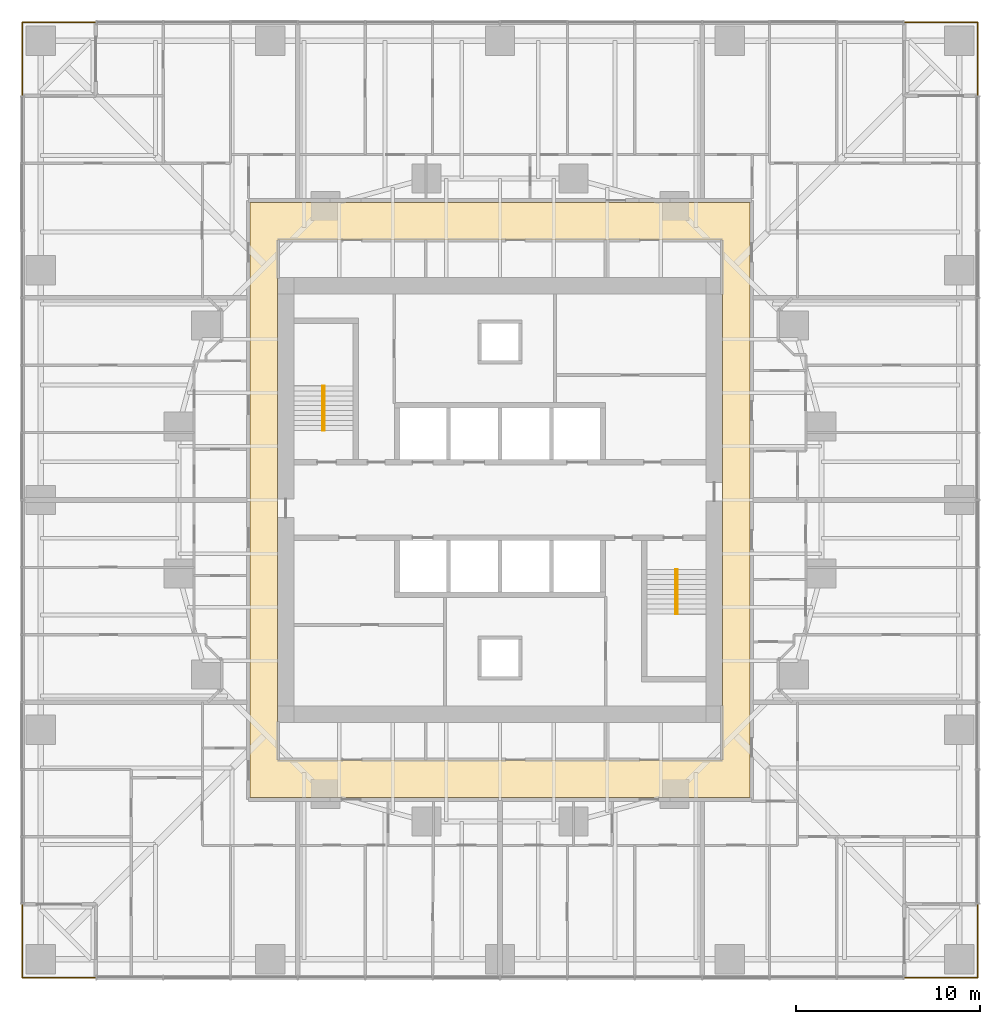
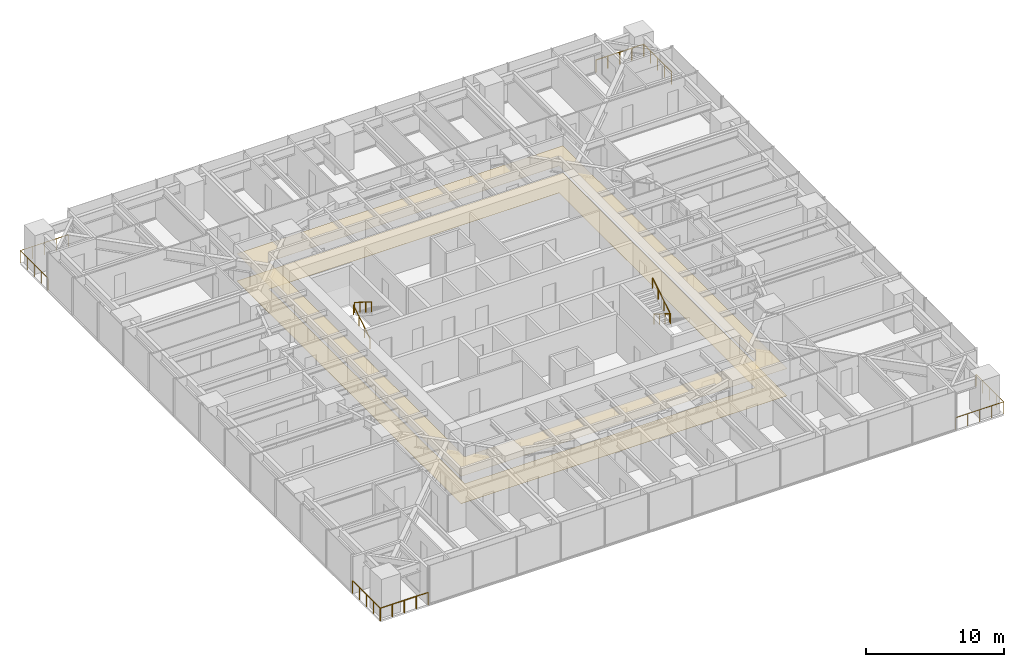
# One storey, part 18 of 18: 8 railings, 2 coverings, 2 elements without a shape of their own.
"""IFC4 building model written with IfcOpenShell, lengths in metres."""

from ifc_helpers import new_model, si_unit, direction, frame, origin, origin_2d, place, context, subcontext, project, spatial, polyline, circle, outline, extrude, material, layer, layer_set, type_object, element, aggregate, save


model = new_model("IFC4")

# Units and contexts
model_context = context("Model", 3, precision=1e-05, world=origin(), true_north=direction((0.0, 1.0)))
body_context = subcontext(model_context, "Body", "Model", "MODEL_VIEW")
ifc_project = project(units=[si_unit("LENGTHUNIT", "METRE"), si_unit("AREAUNIT", "SQUARE_METRE"), si_unit("VOLUMEUNIT", "CUBIC_METRE"), si_unit("PLANEANGLEUNIT", "RADIAN"), si_unit("MASSUNIT", "GRAM", prefix="KILO")], contexts=[model_context])

# Site, building, storey
site_placement = place(None, origin())
site = spatial("IfcSite", under=ifc_project, at=site_placement, CompositionType="ELEMENT")
building_placement = place(site_placement, origin())
building = spatial("IfcBuilding", under=site, at=building_placement, Name="Torsade Residences", CompositionType="ELEMENT")
storey_placement = place(building_placement, frame((0.0, 0.0, 28.60009765625)))
storey = spatial("IfcBuildingStorey", under=building, at=storey_placement, Name="L07", CompositionType="ELEMENT", Elevation=28.60009765625)

# Coverings
ifc_material_1 = material(Name="Nylon carpet tile on underlay", Category="textile")
ifc_layer_1 = layer(ifc_material_1, 0.010009765625)
ifc_layer_set_1 = layer_set([ifc_layer_1], Name="Nylon carpet tile on underlay")
covering_type_1 = type_object("IfcCoveringType", Name="CORRIDOR CARPET TILE 10", PredefinedType="FLOORING", material=ifc_layer_set_1)
covering_1_placement = place(storey_placement, origin())
element("IfcCovering", 1, at=covering_1_placement, inside=storey, type_object=covering_type_1, Name="Corridor carpet L07", PredefinedType="FLOORING", context=body_context, shape_type="SweptSolid", body=[
    extrude(outline(polyline([(26.39990234375, 46.199951171875), (26.39990234375, 13.800048828125), (53.60009765625, 13.800048828125), (53.60009765625, 46.199951171875), (26.39990234375, 46.199951171875)]), holes=[polyline([(52.10009765625, 44.14990234375), (27.89990234375, 44.14990234375), (27.89990234375, 15.85009765625), (52.10009765625, 15.85009765625), (52.10009765625, 44.14990234375)])]), origin(), (0.0, 0.0, 1.0), 0.010009765625),
])
ifc_material_2 = material(Name="Plasterboard on suspended steel grid", Category="steel")
ifc_layer_2 = layer(ifc_material_2, 0.012939453125)
ifc_layer_set_2 = layer_set([ifc_layer_2], Name="Plasterboard on suspended steel grid")
covering_type_2 = type_object("IfcCoveringType", Name="CORRIDOR SUSPENDED CEILING 13", PredefinedType="CEILING", material=ifc_layer_set_2)
covering_2_placement = place(storey_placement, frame((0.0, 0.0, 2.39990234375)))
element("IfcCovering", 2, at=covering_2_placement, inside=storey, type_object=covering_type_2, Name="Corridor ceiling L07", PredefinedType="CEILING", context=body_context, shape_type="SweptSolid", body=[
    extrude(outline(polyline([(26.39990234375, 46.199951171875), (26.39990234375, 13.800048828125), (53.60009765625, 13.800048828125), (53.60009765625, 46.199951171875), (26.39990234375, 46.199951171875)]), holes=[polyline([(52.10009765625, 44.14990234375), (27.89990234375, 44.14990234375), (27.89990234375, 15.85009765625), (52.10009765625, 15.85009765625), (52.10009765625, 44.14990234375)])]), origin(), (0.0, 0.0, 1.0), 0.012939453125),
])

# Stair, railings
ifc_material_3 = material(Name="Precast concrete 40 MPa", Category="concrete")
stair_type = type_object("IfcStairType", Name="HALF-TURN FIRE STAIR 1500x3400", PredefinedType="HALF_TURN_STAIR", material=ifc_material_3)
stair_1_placement = place(storey_placement, origin())
stair_1 = element("IfcStair", 3, at=stair_1_placement, inside=storey, type_object=stair_type, Name="Stair ST1 L07", PredefinedType="HALF_TURN_STAIR")
ifc_material_4 = material(Name="Steel handrail", Category="steel")
railing_type_1 = type_object("IfcRailingType", Name="STAIR HANDRAIL 900", PredefinedType="HANDRAIL", material=ifc_material_4)
railing_1_placement = place(storey_placement, frame((30.35009765625, 33.780029296875, 0.169921875)))
railing_1 = element("IfcRailing", 4, at=railing_1_placement, type_object=railing_type_1, Name="Handrail ST1 flight 1 L07", PredefinedType="HANDRAIL", context=body_context, shape_type="SweptSolid", body=[
    extrude(circle(Radius=0.02392578125, at=origin_2d()), frame((0.0, 0.0, 0.8759765625), z_axis=(0.0, 0.846221481393, 0.532831309544), x_axis=(-1.0, 0.0, 0.0)), (0.0, 0.0, 1.0), 2.87158203125),
    extrude(circle(Radius=0.02099609375, at=origin_2d()), origin(), (0.0, 0.0, 1.0), 0.851806640625),
    extrude(circle(Radius=0.02099609375, at=origin_2d()), frame((0.0, 0.81005859375, 0.510009765625)), (0.0, 0.0, 1.0), 0.851806640625),
    extrude(circle(Radius=0.02099609375, at=origin_2d()), frame((0.0, 1.619873046875, 1.02001953125)), (0.0, 0.0, 1.0), 0.851806640625),
    extrude(circle(Radius=0.02099609375, at=origin_2d()), frame((0.0, 2.429931640625, 1.530029296875)), (0.0, 0.0, 1.0), 0.851806640625),
])
railing_2_placement = place(storey_placement, frame((30.449951171875, 36.2099609375, 1.869873046875)))
railing_2 = element("IfcRailing", 5, at=railing_2_placement, type_object=railing_type_1, Name="Handrail ST1 flight 2 L07", PredefinedType="HANDRAIL", context=body_context, shape_type="SweptSolid", body=[
    extrude(circle(Radius=0.02392578125, at=origin_2d()), frame((0.0, 0.0, 0.8759765625), z_axis=(0.0, -0.846221481393, 0.532831309544), x_axis=(1.0, 0.0, 0.0)), (0.0, 0.0, 1.0), 2.87158203125),
    extrude(circle(Radius=0.02099609375, at=origin_2d()), origin(), (0.0, 0.0, 1.0), 0.851806640625),
    extrude(circle(Radius=0.02099609375, at=origin_2d()), frame((0.0, -0.81005859375, 0.510009765625)), (0.0, 0.0, 1.0), 0.851806640625),
    extrude(circle(Radius=0.02099609375, at=origin_2d()), frame((0.0, -1.619873046875, 1.02001953125)), (0.0, 0.0, 1.0), 0.851806640625),
    extrude(circle(Radius=0.02099609375, at=origin_2d()), frame((0.0, -2.429931640625, 1.530029296875)), (0.0, 0.0, 1.0), 0.851806640625),
])
aggregate(stair_1, [railing_1, railing_2])

stair_2_placement = place(storey_placement, origin())
stair_2 = element("IfcStair", 6, at=stair_2_placement, inside=storey, type_object=stair_type, Name="Stair ST2 L07", PredefinedType="HALF_TURN_STAIR")
railing_3_placement = place(storey_placement, frame((49.64990234375, 26.219970703125, 0.169921875)))
railing_3 = element("IfcRailing", 7, at=railing_3_placement, type_object=railing_type_1, Name="Handrail ST2 flight 1 L07", PredefinedType="HANDRAIL", context=body_context, shape_type="SweptSolid", body=[
    extrude(circle(Radius=0.02392578125, at=origin_2d()), frame((0.0, 0.0, 0.8759765625), z_axis=(0.0, -0.846221481393, 0.532831309544), x_axis=(1.0, 0.0, 0.0)), (0.0, 0.0, 1.0), 2.87158203125),
    extrude(circle(Radius=0.02099609375, at=origin_2d()), origin(), (0.0, 0.0, 1.0), 0.851806640625),
    extrude(circle(Radius=0.02099609375, at=origin_2d()), frame((0.0, -0.81005859375, 0.510009765625)), (0.0, 0.0, 1.0), 0.851806640625),
    extrude(circle(Radius=0.02099609375, at=origin_2d()), frame((0.0, -1.619873046875, 1.02001953125)), (0.0, 0.0, 1.0), 0.851806640625),
    extrude(circle(Radius=0.02099609375, at=origin_2d()), frame((0.0, -2.429931640625, 1.530029296875)), (0.0, 0.0, 1.0), 0.851806640625),
])
railing_4_placement = place(storey_placement, frame((49.550048828125, 23.7900390625, 1.869873046875)))
railing_4 = element("IfcRailing", 8, at=railing_4_placement, type_object=railing_type_1, Name="Handrail ST2 flight 2 L07", PredefinedType="HANDRAIL", context=body_context, shape_type="SweptSolid", body=[
    extrude(circle(Radius=0.02392578125, at=origin_2d()), frame((0.0, 0.0, 0.8759765625), z_axis=(0.0, 0.846221481393, 0.532831309544), x_axis=(-1.0, 0.0, 0.0)), (0.0, 0.0, 1.0), 2.87158203125),
    extrude(circle(Radius=0.02099609375, at=origin_2d()), origin(), (0.0, 0.0, 1.0), 0.851806640625),
    extrude(circle(Radius=0.02099609375, at=origin_2d()), frame((0.0, 0.81005859375, 0.510009765625)), (0.0, 0.0, 1.0), 0.851806640625),
    extrude(circle(Radius=0.02099609375, at=origin_2d()), frame((0.0, 1.619873046875, 1.02001953125)), (0.0, 0.0, 1.0), 0.851806640625),
    extrude(circle(Radius=0.02099609375, at=origin_2d()), frame((0.0, 2.429931640625, 1.530029296875)), (0.0, 0.0, 1.0), 0.851806640625),
])
aggregate(stair_2, [railing_3, railing_4])

# Railings
ifc_material_5 = material(Name="Laminated glass balustrade", Category="glass")
railing_type_2 = type_object("IfcRailingType", Name="TERRACE GLASS BALUSTRADE 1100", PredefinedType="BALUSTRADE", material=ifc_material_5)
railing_5_placement = place(storey_placement, frame((62.0, 4.0, 0.0)))
element("IfcRailing", 9, at=railing_5_placement, inside=storey, type_object=railing_type_2, Name="Terrace balustrade SE L07", PredefinedType="BALUSTRADE", context=body_context, shape_type="SweptSolid", body=[
    extrude(circle(Radius=0.02392578125, at=origin_2d()), frame((0.0, 0.0, 1.076171875), z_axis=(1.0, 0.0, 0.0), x_axis=(0.0, 1.0, 0.0)), (0.0, 0.0, 1.0), 4.0),
    extrude(circle(Radius=0.02392578125, at=origin_2d()), frame((4.0, 0.0, 1.076171875), z_axis=(0.0, 1.0, 0.0), x_axis=(-1.0, 0.0, 0.0)), (0.0, 0.0, 1.0), 4.0),
    extrude(circle(Radius=0.02099609375, at=origin_2d()), origin(), (0.0, 0.0, 1.0), 1.052001953125),
    extrude(circle(Radius=0.02099609375, at=origin_2d()), frame((1.0, 0.0, 0.0)), (0.0, 0.0, 1.0), 1.052001953125),
    extrude(circle(Radius=0.02099609375, at=origin_2d()), frame((2.0, 0.0, 0.0)), (0.0, 0.0, 1.0), 1.052001953125),
    extrude(circle(Radius=0.02099609375, at=origin_2d()), frame((3.0, 0.0, 0.0)), (0.0, 0.0, 1.0), 1.052001953125),
    extrude(circle(Radius=0.02099609375, at=origin_2d()), frame((4.0, 0.0, 0.0)), (0.0, 0.0, 1.0), 1.052001953125),
    extrude(circle(Radius=0.02099609375, at=origin_2d()), frame((4.0, 1.0, 0.0)), (0.0, 0.0, 1.0), 1.052001953125),
    extrude(circle(Radius=0.02099609375, at=origin_2d()), frame((4.0, 2.0, 0.0)), (0.0, 0.0, 1.0), 1.052001953125),
    extrude(circle(Radius=0.02099609375, at=origin_2d()), frame((4.0, 3.0, 0.0)), (0.0, 0.0, 1.0), 1.052001953125),
    extrude(circle(Radius=0.02099609375, at=origin_2d()), frame((4.0, 4.0, 0.0)), (0.0, 0.0, 1.0), 1.052001953125),
])
railing_6_placement = place(storey_placement, frame((66.0, 52.0, 0.0)))
element("IfcRailing", 10, at=railing_6_placement, inside=storey, type_object=railing_type_2, Name="Terrace balustrade NE L07", PredefinedType="BALUSTRADE", context=body_context, shape_type="SweptSolid", body=[
    extrude(circle(Radius=0.02392578125, at=origin_2d()), frame((0.0, 0.0, 1.076171875), z_axis=(0.0, 1.0, 0.0), x_axis=(-1.0, 0.0, 0.0)), (0.0, 0.0, 1.0), 4.0),
    extrude(circle(Radius=0.02392578125, at=origin_2d()), frame((0.0, 4.0, 1.076171875), z_axis=(-1.0, 0.0, 0.0), x_axis=(0.0, -1.0, 0.0)), (0.0, 0.0, 1.0), 4.0),
    extrude(circle(Radius=0.02099609375, at=origin_2d()), origin(), (0.0, 0.0, 1.0), 1.052001953125),
    extrude(circle(Radius=0.02099609375, at=origin_2d()), frame((0.0, 1.0, 0.0)), (0.0, 0.0, 1.0), 1.052001953125),
    extrude(circle(Radius=0.02099609375, at=origin_2d()), frame((0.0, 2.0, 0.0)), (0.0, 0.0, 1.0), 1.052001953125),
    extrude(circle(Radius=0.02099609375, at=origin_2d()), frame((0.0, 3.0, 0.0)), (0.0, 0.0, 1.0), 1.052001953125),
    extrude(circle(Radius=0.02099609375, at=origin_2d()), frame((0.0, 4.0, 0.0)), (0.0, 0.0, 1.0), 1.052001953125),
    extrude(circle(Radius=0.02099609375, at=origin_2d()), frame((-1.0, 4.0, 0.0)), (0.0, 0.0, 1.0), 1.052001953125),
    extrude(circle(Radius=0.02099609375, at=origin_2d()), frame((-2.0, 4.0, 0.0)), (0.0, 0.0, 1.0), 1.052001953125),
    extrude(circle(Radius=0.02099609375, at=origin_2d()), frame((-3.0, 4.0, 0.0)), (0.0, 0.0, 1.0), 1.052001953125),
    extrude(circle(Radius=0.02099609375, at=origin_2d()), frame((-4.0, 4.0, 0.0)), (0.0, 0.0, 1.0), 1.052001953125),
])
railing_7_placement = place(storey_placement, frame((18.0, 56.0, 0.0)))
element("IfcRailing", 11, at=railing_7_placement, inside=storey, type_object=railing_type_2, Name="Terrace balustrade NW L07", PredefinedType="BALUSTRADE", context=body_context, shape_type="SweptSolid", body=[
    extrude(circle(Radius=0.02392578125, at=origin_2d()), frame((0.0, 0.0, 1.076171875), z_axis=(-1.0, 0.0, 0.0), x_axis=(0.0, -1.0, 0.0)), (0.0, 0.0, 1.0), 4.0),
    extrude(circle(Radius=0.02392578125, at=origin_2d()), frame((-4.0, 0.0, 1.076171875), z_axis=(0.0, -1.0, 0.0), x_axis=(1.0, 0.0, 0.0)), (0.0, 0.0, 1.0), 4.0),
    extrude(circle(Radius=0.02099609375, at=origin_2d()), origin(), (0.0, 0.0, 1.0), 1.052001953125),
    extrude(circle(Radius=0.02099609375, at=origin_2d()), frame((-1.0, 0.0, 0.0)), (0.0, 0.0, 1.0), 1.052001953125),
    extrude(circle(Radius=0.02099609375, at=origin_2d()), frame((-2.0, 0.0, 0.0)), (0.0, 0.0, 1.0), 1.052001953125),
    extrude(circle(Radius=0.02099609375, at=origin_2d()), frame((-3.0, 0.0, 0.0)), (0.0, 0.0, 1.0), 1.052001953125),
    extrude(circle(Radius=0.02099609375, at=origin_2d()), frame((-4.0, 0.0, 0.0)), (0.0, 0.0, 1.0), 1.052001953125),
    extrude(circle(Radius=0.02099609375, at=origin_2d()), frame((-4.0, -1.0, 0.0)), (0.0, 0.0, 1.0), 1.052001953125),
    extrude(circle(Radius=0.02099609375, at=origin_2d()), frame((-4.0, -2.0, 0.0)), (0.0, 0.0, 1.0), 1.052001953125),
    extrude(circle(Radius=0.02099609375, at=origin_2d()), frame((-4.0, -3.0, 0.0)), (0.0, 0.0, 1.0), 1.052001953125),
    extrude(circle(Radius=0.02099609375, at=origin_2d()), frame((-4.0, -4.0, 0.0)), (0.0, 0.0, 1.0), 1.052001953125),
])
railing_8_placement = place(storey_placement, frame((14.0, 8.0, 0.0)))
element("IfcRailing", 12, at=railing_8_placement, inside=storey, type_object=railing_type_2, Name="Terrace balustrade SW L07", PredefinedType="BALUSTRADE", context=body_context, shape_type="SweptSolid", body=[
    extrude(circle(Radius=0.02392578125, at=origin_2d()), frame((0.0, 0.0, 1.076171875), z_axis=(0.0, -1.0, 0.0), x_axis=(1.0, 0.0, 0.0)), (0.0, 0.0, 1.0), 4.0),
    extrude(circle(Radius=0.02392578125, at=origin_2d()), frame((0.0, -4.0, 1.076171875), z_axis=(1.0, 0.0, 0.0), x_axis=(0.0, 1.0, 0.0)), (0.0, 0.0, 1.0), 4.0),
    extrude(circle(Radius=0.02099609375, at=origin_2d()), origin(), (0.0, 0.0, 1.0), 1.052001953125),
    extrude(circle(Radius=0.02099609375, at=origin_2d()), frame((0.0, -1.0, 0.0)), (0.0, 0.0, 1.0), 1.052001953125),
    extrude(circle(Radius=0.02099609375, at=origin_2d()), frame((0.0, -2.0, 0.0)), (0.0, 0.0, 1.0), 1.052001953125),
    extrude(circle(Radius=0.02099609375, at=origin_2d()), frame((0.0, -3.0, 0.0)), (0.0, 0.0, 1.0), 1.052001953125),
    extrude(circle(Radius=0.02099609375, at=origin_2d()), frame((0.0, -4.0, 0.0)), (0.0, 0.0, 1.0), 1.052001953125),
    extrude(circle(Radius=0.02099609375, at=origin_2d()), frame((1.0, -4.0, 0.0)), (0.0, 0.0, 1.0), 1.052001953125),
    extrude(circle(Radius=0.02099609375, at=origin_2d()), frame((2.0, -4.0, 0.0)), (0.0, 0.0, 1.0), 1.052001953125),
    extrude(circle(Radius=0.02099609375, at=origin_2d()), frame((3.0, -4.0, 0.0)), (0.0, 0.0, 1.0), 1.052001953125),
    extrude(circle(Radius=0.02099609375, at=origin_2d()), frame((4.0, -4.0, 0.0)), (0.0, 0.0, 1.0), 1.052001953125),
])

save(model, "model.ifc")
